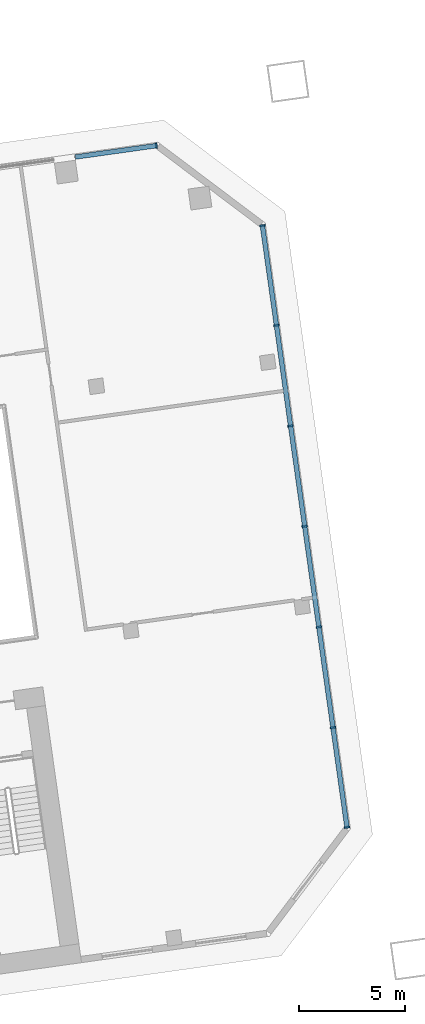
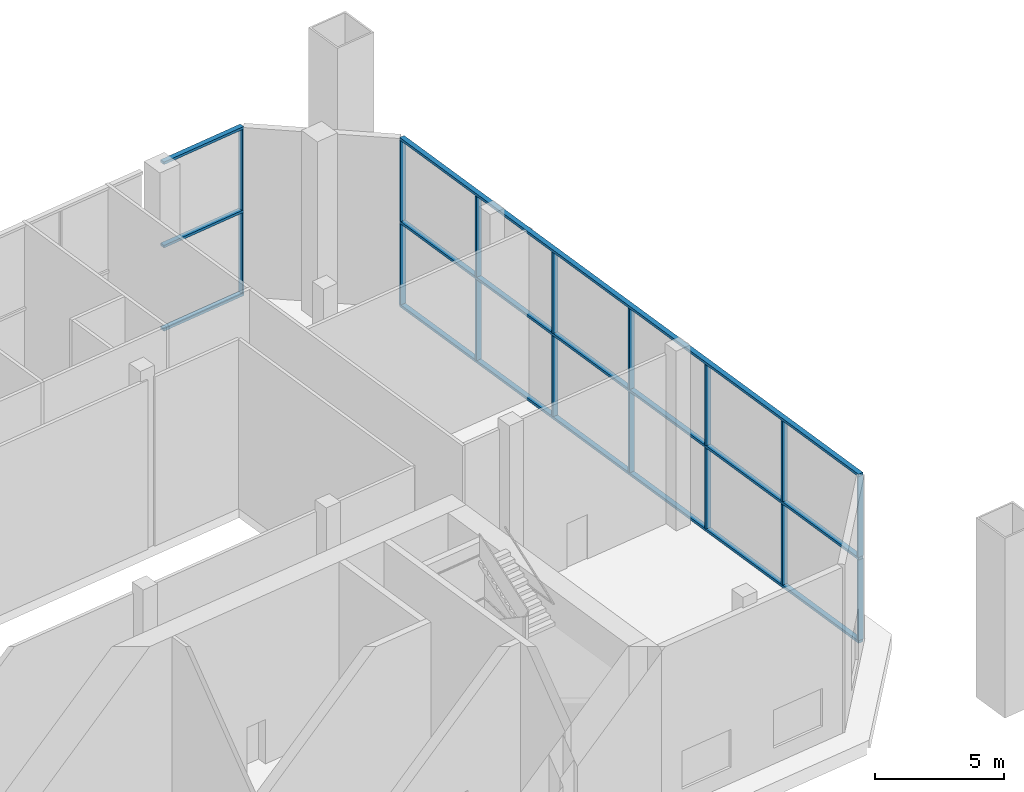
# One storey, part 10 of 31: 22 members, 2 elements without a shape of their own.
"""IFC4 building model written with IfcOpenShell, lengths in metres."""

from ifc_helpers import new_model, si_unit, direction, frame, origin, origin_2d, place, context, subcontext, project, spatial, rectangle, extrude, material, material_profile, profile_set, type_object, element, aggregate, save


model = new_model("IFC4")

# Units and contexts
model_context = context("Model", 3, precision=1e-05, world=origin(), true_north=direction((0.0, 1.0)))
body_context = subcontext(model_context, "Body", "Model", "MODEL_VIEW")
ifc_project = project(units=[si_unit("LENGTHUNIT", "METRE"), si_unit("AREAUNIT", "SQUARE_METRE"), si_unit("VOLUMEUNIT", "CUBIC_METRE"), si_unit("PLANEANGLEUNIT", "RADIAN"), si_unit("MASSUNIT", "GRAM", prefix="KILO")], contexts=[model_context])

# Site, building, storey
site_placement = place(None, origin())
site = spatial("IfcSite", under=ifc_project, at=site_placement, CompositionType="ELEMENT")
building_placement = place(site_placement, origin())
building = spatial("IfcBuilding", under=site, at=building_placement, Name="Mirante Cascada Hotel Towers", CompositionType="ELEMENT")
storey_placement = place(building_placement, frame((0.0, 0.0, 9.0)))
storey = spatial("IfcBuildingStorey", under=building, at=storey_placement, Name="L01", CompositionType="ELEMENT", Elevation=9.0)

# Curtain wall, members
ifc_material_1 = material(Name="Aluminium mullion and transom frame with clear laminated glass", Category="aluminium")
curtain_wall_type = type_object("IfcCurtainWallType", Name="Podium curtain wall ECW3", PredefinedType="NOTDEFINED", material=ifc_material_1)
curtain_wall_1_placement = place(storey_placement, origin())
curtain_wall_1 = element("IfcCurtainWall", 1, at=curtain_wall_1_placement, inside=storey, type_object=curtain_wall_type, Name="Front podium glazing T2 L01", PredefinedType="NOTDEFINED")
ifc_material_2 = material(Name="Anodised aluminium extrusion", Category="aluminium")
ifc_material_profile_1 = material_profile(ifc_material_2, rectangle(XDim=0.26, YDim=0.08, at=origin_2d()), Name="ECW3 MULLION 80x260")
ifc_profile_set_1 = profile_set([ifc_material_profile_1], Name="Anodised aluminium extrusion")
member_type_1 = type_object("IfcMemberType", Name="ECW3 mullion 80x260", PredefinedType="MULLION", material=ifc_profile_set_1)
member_1_placement = place(storey_placement, frame((94.1185, 26.0465, 0.12), z_axis=(0.0, 0.0, 1.0), x_axis=(0.1391731, -0.9902681, 0.0)))
member_1 = element("IfcMember", 2, at=member_1_placement, type_object=member_type_1, Name="ECW3 mullion 1", PredefinedType="MULLION", context=body_context, shape_type="SweptSolid", body=[
    extrude(rectangle(XDim=0.26, YDim=0.08, at=origin_2d()), origin(), (0.0, 0.0, 1.0), 3.82),
])
member_2_placement = place(storey_placement, frame((94.1185, 26.0465, 4.06), z_axis=(0.0, 0.0, 1.0), x_axis=(0.1391731, -0.9902681, 0.0)))
member_2 = element("IfcMember", 3, at=member_2_placement, type_object=member_type_1, Name="ECW3 mullion 1", PredefinedType="MULLION", context=body_context, shape_type="SweptSolid", body=[
    extrude(rectangle(XDim=0.26, YDim=0.08, at=origin_2d()), origin(), (0.0, 0.0, 1.0), 3.82),
])

curtain_wall_2_placement = place(storey_placement, origin())
curtain_wall_2 = element("IfcCurtainWall", 4, at=curtain_wall_2_placement, inside=storey, type_object=curtain_wall_type, Name="Outer end podium glazing T2 L01", PredefinedType="NOTDEFINED")
member_3_placement = place(storey_placement, frame((103.1546, -6.2582, 0.12), z_axis=(0.0, 0.0, 1.0), x_axis=(-0.9902681, -0.1391731, 0.0)))
member_3 = element("IfcMember", 5, at=member_3_placement, type_object=member_type_1, Name="ECW3 mullion 1", PredefinedType="MULLION", context=body_context, shape_type="SweptSolid", body=[
    extrude(rectangle(XDim=0.26, YDim=0.08, at=origin_2d()), origin(), (0.0, 0.0, 1.0), 3.82),
])
member_4_placement = place(storey_placement, frame((103.1546, -6.2582, 4.06), z_axis=(0.0, 0.0, 1.0), x_axis=(-0.9902681, -0.1391731, 0.0)))
member_4 = element("IfcMember", 6, at=member_4_placement, type_object=member_type_1, Name="ECW3 mullion 1", PredefinedType="MULLION", context=body_context, shape_type="SweptSolid", body=[
    extrude(rectangle(XDim=0.26, YDim=0.08, at=origin_2d()), origin(), (0.0, 0.0, 1.0), 3.82),
])
member_5_placement = place(storey_placement, frame((102.4903, -1.532, 0.12), z_axis=(0.0, 0.0, 1.0), x_axis=(-0.9902681, -0.1391731, 0.0)))
member_5 = element("IfcMember", 7, at=member_5_placement, type_object=member_type_1, Name="ECW3 mullion 2", PredefinedType="MULLION", context=body_context, shape_type="SweptSolid", body=[
    extrude(rectangle(XDim=0.26, YDim=0.08, at=origin_2d()), origin(), (0.0, 0.0, 1.0), 3.82),
])
member_6_placement = place(storey_placement, frame((102.4903, -1.532, 4.06), z_axis=(0.0, 0.0, 1.0), x_axis=(-0.9902681, -0.1391731, 0.0)))
member_6 = element("IfcMember", 8, at=member_6_placement, type_object=member_type_1, Name="ECW3 mullion 2", PredefinedType="MULLION", context=body_context, shape_type="SweptSolid", body=[
    extrude(rectangle(XDim=0.26, YDim=0.08, at=origin_2d()), origin(), (0.0, 0.0, 1.0), 3.82),
])
member_7_placement = place(storey_placement, frame((101.8205, 3.2338, 0.12), z_axis=(0.0, 0.0, 1.0), x_axis=(-0.9902681, -0.1391731, 0.0)))
member_7 = element("IfcMember", 9, at=member_7_placement, type_object=member_type_1, Name="ECW3 mullion 3", PredefinedType="MULLION", context=body_context, shape_type="SweptSolid", body=[
    extrude(rectangle(XDim=0.26, YDim=0.08, at=origin_2d()), origin(), (0.0, 0.0, 1.0), 3.82),
])
member_8_placement = place(storey_placement, frame((101.8205, 3.2338, 4.06), z_axis=(0.0, 0.0, 1.0), x_axis=(-0.9902681, -0.1391731, 0.0)))
member_8 = element("IfcMember", 10, at=member_8_placement, type_object=member_type_1, Name="ECW3 mullion 3", PredefinedType="MULLION", context=body_context, shape_type="SweptSolid", body=[
    extrude(rectangle(XDim=0.26, YDim=0.08, at=origin_2d()), origin(), (0.0, 0.0, 1.0), 3.82),
])
member_9_placement = place(storey_placement, frame((101.1508, 7.9996, 0.12), z_axis=(0.0, 0.0, 1.0), x_axis=(-0.9902681, -0.1391731, 0.0)))
member_9 = element("IfcMember", 11, at=member_9_placement, type_object=member_type_1, Name="ECW3 mullion 4", PredefinedType="MULLION", context=body_context, shape_type="SweptSolid", body=[
    extrude(rectangle(XDim=0.26, YDim=0.08, at=origin_2d()), origin(), (0.0, 0.0, 1.0), 3.82),
])
member_10_placement = place(storey_placement, frame((101.1508, 7.9996, 4.06), z_axis=(0.0, 0.0, 1.0), x_axis=(-0.9902681, -0.1391731, 0.0)))
member_10 = element("IfcMember", 12, at=member_10_placement, type_object=member_type_1, Name="ECW3 mullion 4", PredefinedType="MULLION", context=body_context, shape_type="SweptSolid", body=[
    extrude(rectangle(XDim=0.26, YDim=0.08, at=origin_2d()), origin(), (0.0, 0.0, 1.0), 3.82),
])
member_11_placement = place(storey_placement, frame((100.481, 12.7654, 0.12), z_axis=(0.0, 0.0, 1.0), x_axis=(-0.9902681, -0.1391731, 0.0)))
member_11 = element("IfcMember", 13, at=member_11_placement, type_object=member_type_1, Name="ECW3 mullion 5", PredefinedType="MULLION", context=body_context, shape_type="SweptSolid", body=[
    extrude(rectangle(XDim=0.26, YDim=0.08, at=origin_2d()), origin(), (0.0, 0.0, 1.0), 3.82),
])
member_12_placement = place(storey_placement, frame((100.481, 12.7654, 4.06), z_axis=(0.0, 0.0, 1.0), x_axis=(-0.9902681, -0.1391731, 0.0)))
member_12 = element("IfcMember", 14, at=member_12_placement, type_object=member_type_1, Name="ECW3 mullion 5", PredefinedType="MULLION", context=body_context, shape_type="SweptSolid", body=[
    extrude(rectangle(XDim=0.26, YDim=0.08, at=origin_2d()), origin(), (0.0, 0.0, 1.0), 3.82),
])
member_13_placement = place(storey_placement, frame((99.8112, 17.5312, 0.12), z_axis=(0.0, 0.0, 1.0), x_axis=(-0.9902681, -0.1391731, 0.0)))
member_13 = element("IfcMember", 15, at=member_13_placement, type_object=member_type_1, Name="ECW3 mullion 6", PredefinedType="MULLION", context=body_context, shape_type="SweptSolid", body=[
    extrude(rectangle(XDim=0.26, YDim=0.08, at=origin_2d()), origin(), (0.0, 0.0, 1.0), 3.82),
])
member_14_placement = place(storey_placement, frame((99.8112, 17.5312, 4.06), z_axis=(0.0, 0.0, 1.0), x_axis=(-0.9902681, -0.1391731, 0.0)))
member_14 = element("IfcMember", 16, at=member_14_placement, type_object=member_type_1, Name="ECW3 mullion 6", PredefinedType="MULLION", context=body_context, shape_type="SweptSolid", body=[
    extrude(rectangle(XDim=0.26, YDim=0.08, at=origin_2d()), origin(), (0.0, 0.0, 1.0), 3.82),
])
member_15_placement = place(storey_placement, frame((99.147, 22.2573, 0.12), z_axis=(0.0, 0.0, 1.0), x_axis=(-0.9902681, -0.1391731, 0.0)))
member_15 = element("IfcMember", 17, at=member_15_placement, type_object=member_type_1, Name="ECW3 mullion 7", PredefinedType="MULLION", context=body_context, shape_type="SweptSolid", body=[
    extrude(rectangle(XDim=0.26, YDim=0.08, at=origin_2d()), origin(), (0.0, 0.0, 1.0), 3.82),
])
member_16_placement = place(storey_placement, frame((99.147, 22.2573, 4.06), z_axis=(0.0, 0.0, 1.0), x_axis=(-0.9902681, -0.1391731, 0.0)))
member_16 = element("IfcMember", 18, at=member_16_placement, type_object=member_type_1, Name="ECW3 mullion 7", PredefinedType="MULLION", context=body_context, shape_type="SweptSolid", body=[
    extrude(rectangle(XDim=0.26, YDim=0.08, at=origin_2d()), origin(), (0.0, 0.0, 1.0), 3.82),
])

# Member
ifc_material_3 = material(Name="Anodised aluminium extrusion", Category="aluminium")
ifc_material_profile_2 = material_profile(ifc_material_3, rectangle(XDim=0.22, YDim=0.12, at=origin_2d()), Name="ECW3 TRANSOM 120x220")
ifc_profile_set_2 = profile_set([ifc_material_profile_2], Name="Anodised aluminium extrusion")
member_type_2 = type_object("IfcMemberType", Name="ECW3 transom 120x220", PredefinedType="USERDEFINED", material=ifc_profile_set_2)
member_17_placement = place(storey_placement, frame((94.1582, 26.0521, 0.06), z_axis=(-0.990267, -0.1391805, 0.0), x_axis=(0.1391805, -0.990267, 0.0)))
member_17 = element("IfcMember", 19, at=member_17_placement, type_object=member_type_2, Name="ECW3 sill transom", ObjectType="TRANSOM", PredefinedType="USERDEFINED", context=body_context, shape_type="SweptSolid", body=[
    extrude(rectangle(XDim=0.22, YDim=0.12, at=origin_2d()), origin(), (0.0, 0.0, 1.0), 3.9179),
])

member_18_placement = place(storey_placement, frame((94.1582, 26.0521, 4.0), z_axis=(-0.990267, -0.1391805, 0.0), x_axis=(0.1391805, -0.990267, 0.0)))
member_18 = element("IfcMember", 20, at=member_18_placement, type_object=member_type_2, Name="ECW3 intermediate transom", ObjectType="TRANSOM", PredefinedType="USERDEFINED", context=body_context, shape_type="SweptSolid", body=[
    extrude(rectangle(XDim=0.22, YDim=0.12, at=origin_2d()), origin(), (0.0, 0.0, 1.0), 3.9179),
])

member_19_placement = place(storey_placement, frame((94.1582, 26.0521, 7.94), z_axis=(-0.990267, -0.1391805, 0.0), x_axis=(0.1391805, -0.990267, 0.0)))
member_19 = element("IfcMember", 21, at=member_19_placement, type_object=member_type_2, Name="ECW3 head transom", ObjectType="TRANSOM", PredefinedType="USERDEFINED", context=body_context, shape_type="SweptSolid", body=[
    extrude(rectangle(XDim=0.22, YDim=0.12, at=origin_2d()), origin(), (0.0, 0.0, 1.0), 3.9179),
])

aggregate(curtain_wall_1, [member_17, member_18, member_19, member_1, member_2])

member_20_placement = place(storey_placement, frame((103.1601, -6.2978, 0.06), z_axis=(-0.1391723, 0.9902682, 0.0), x_axis=(-0.9902682, -0.1391723, 0.0)))
member_20 = element("IfcMember", 22, at=member_20_placement, type_object=member_type_2, Name="ECW3 sill transom", ObjectType="TRANSOM", PredefinedType="USERDEFINED", context=body_context, shape_type="SweptSolid", body=[
    extrude(rectangle(XDim=0.22, YDim=0.12, at=origin_2d()), origin(), (0.0, 0.0, 1.0), 28.8757),
])

member_21_placement = place(storey_placement, frame((103.1601, -6.2978, 4.0), z_axis=(-0.1391723, 0.9902682, 0.0), x_axis=(-0.9902682, -0.1391723, 0.0)))
member_21 = element("IfcMember", 23, at=member_21_placement, type_object=member_type_2, Name="ECW3 intermediate transom", ObjectType="TRANSOM", PredefinedType="USERDEFINED", context=body_context, shape_type="SweptSolid", body=[
    extrude(rectangle(XDim=0.22, YDim=0.12, at=origin_2d()), origin(), (0.0, 0.0, 1.0), 28.8757),
])

member_22_placement = place(storey_placement, frame((103.1601, -6.2978, 7.94), z_axis=(-0.1391723, 0.9902682, 0.0), x_axis=(-0.9902682, -0.1391723, 0.0)))
member_22 = element("IfcMember", 24, at=member_22_placement, type_object=member_type_2, Name="ECW3 head transom", ObjectType="TRANSOM", PredefinedType="USERDEFINED", context=body_context, shape_type="SweptSolid", body=[
    extrude(rectangle(XDim=0.22, YDim=0.12, at=origin_2d()), origin(), (0.0, 0.0, 1.0), 28.8757),
])

aggregate(curtain_wall_2, [member_20, member_21, member_22, member_3, member_4, member_5, member_6, member_7, member_8, member_9, member_10, member_11, member_12, member_13, member_14, member_15, member_16])

save(model, "model.ifc")
